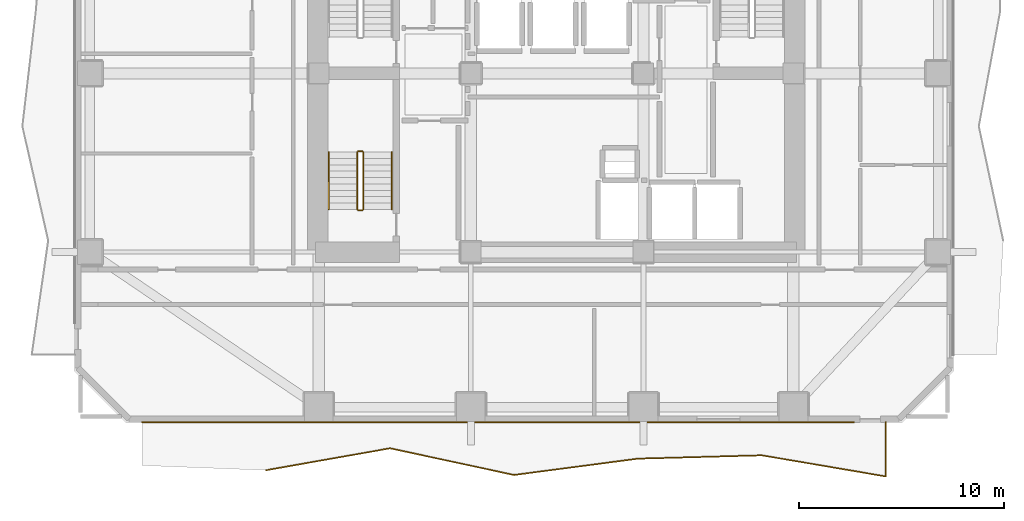
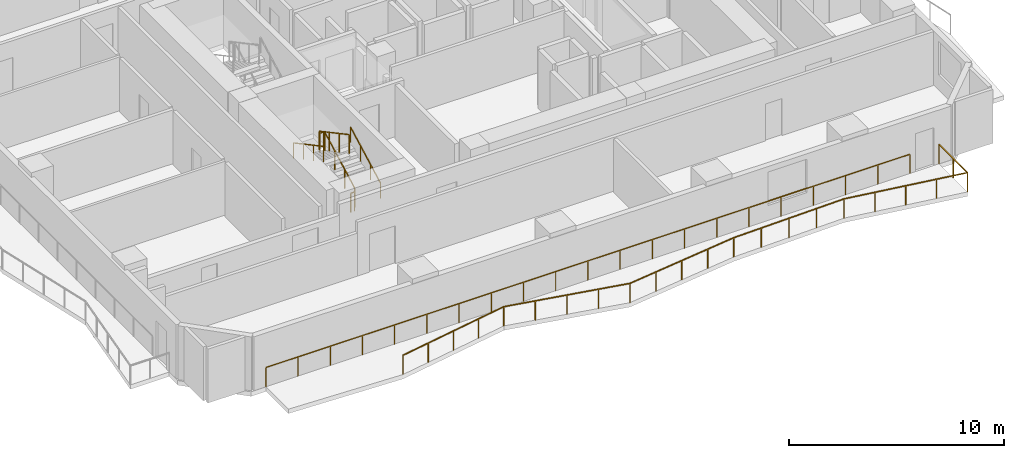
# One storey, part 7 of 10: 8 railings.
"""IFC4 building model written with IfcOpenShell, lengths in metres."""

from ifc_helpers import new_model, si_unit, direction, frame, origin, origin_2d, place, context, subcontext, project, spatial, rectangle, extrude, material, type_object, element, save


model = new_model("IFC4")

# Units and contexts
model_context = context("Model", 3, precision=1e-05, world=origin(), true_north=direction((0.0, 1.0)))
body_context = subcontext(model_context, "Body", "Model", "MODEL_VIEW")
ifc_project = project(units=[si_unit("LENGTHUNIT", "METRE"), si_unit("AREAUNIT", "SQUARE_METRE"), si_unit("VOLUMEUNIT", "CUBIC_METRE"), si_unit("PLANEANGLEUNIT", "RADIAN"), si_unit("MASSUNIT", "GRAM", prefix="KILO")], contexts=[model_context])

# Site, building, storey
site_placement = place(None, origin())
site = spatial("IfcSite", under=ifc_project, at=site_placement, CompositionType="ELEMENT")
building_placement = place(site_placement, origin())
building = spatial("IfcBuilding", under=site, at=building_placement, Name="Solanera Arch Residences", CompositionType="ELEMENT")
storey_placement = place(building_placement, frame((0.0, 0.0, 92.800048828125)))
storey = spatial("IfcBuildingStorey", under=building, at=storey_placement, Name="L26", CompositionType="ELEMENT", Elevation=92.800048828125)

# Railings
ifc_material_1 = material(Name="Steel S355 (ASTM A992 / A572 Grade 50)", Category="steel")
railing_type_1 = type_object("IfcRailingType", Name="Balustrade Railing BL-1100", PredefinedType="BALUSTRADE", material=ifc_material_1)
railing_1_placement = place(storey_placement, frame((10.8330078125, 11.381103515625, 0.0)))
element("IfcRailing", 1, at=railing_1_placement, inside=storey, type_object=railing_type_1, Name="L26 S Balcony Balustrade 1", PredefinedType="BALUSTRADE", context=body_context, shape_type="SweptSolid", body=[
    extrude(rectangle(XDim=0.048095703125, YDim=0.048095703125, at=origin_2d()), frame((0.0, 0.0, 1.09619140625), z_axis=(0.984670647112, 0.17442395683, 0.0), x_axis=(-0.17442395683, 0.984670647112, 0.0)), (0.0, 0.0, 1.0), 6.1279296875),
    extrude(rectangle(XDim=0.048095703125, YDim=0.048095703125, at=origin_2d()), frame((6.033935546875, 1.06884765625, 1.09619140625), z_axis=(0.977560354268, -0.210655533426, 0.0), x_axis=(0.210655533426, 0.977560354268, 0.0)), (0.0, 0.0, 1.0), 6.17138671875),
    extrude(rectangle(XDim=0.048095703125, YDim=0.048095703125, at=origin_2d()), frame((12.06689453125, -0.231201171875, 1.09619140625), z_axis=(0.991446919952, 0.130510554816, 0.0), x_axis=(-0.130510554816, 0.991446919952, 0.0)), (0.0, 0.0, 1.0), 6.085205078125),
    extrude(rectangle(XDim=0.048095703125, YDim=0.048095703125, at=origin_2d()), frame((18.10009765625, 0.56298828125, 1.09619140625), z_axis=(0.999636031928, 0.02697783667, 0.0), x_axis=(-0.02697783667, 0.999636031928, 0.0)), (0.0, 0.0, 1.0), 6.0361328125),
    extrude(rectangle(XDim=0.048095703125, YDim=0.048095703125, at=origin_2d()), frame((24.134033203125, 0.725830078125, 1.09619140625), z_axis=(0.985795604376, -0.167949475716, 0.0), x_axis=(0.167949475716, 0.985795604376, 0.0)), (0.0, 0.0, 1.0), 6.119873046875),
    extrude(rectangle(XDim=0.048095703125, YDim=0.048095703125, at=origin_2d()), frame((30.1669921875, -0.302001953125, 1.09619140625), z_axis=(0.0, 1.0, 0.0), x_axis=(-1.0, 0.0, 0.0)), (0.0, 0.0, 1.0), 2.640869140625),
    extrude(rectangle(XDim=0.0419921875, YDim=0.0419921875, at=origin_2d()), origin(), (0.0, 0.0, 1.0), 1.072021484375),
    extrude(rectangle(XDim=0.0419921875, YDim=0.0419921875, at=origin_2d()), frame((1.508544921875, 0.26708984375, 0.0)), (0.0, 0.0, 1.0), 1.072021484375),
    extrude(rectangle(XDim=0.0419921875, YDim=0.0419921875, at=origin_2d()), frame((3.01708984375, 0.534423828125, 0.0)), (0.0, 0.0, 1.0), 1.072021484375),
    extrude(rectangle(XDim=0.0419921875, YDim=0.0419921875, at=origin_2d()), frame((4.525390625, 0.8017578125, 0.0)), (0.0, 0.0, 1.0), 1.072021484375),
    extrude(rectangle(XDim=0.0419921875, YDim=0.0419921875, at=origin_2d()), frame((6.033935546875, 1.06884765625, 0.0)), (0.0, 0.0, 1.0), 1.072021484375),
    extrude(rectangle(XDim=0.0419921875, YDim=0.0419921875, at=origin_2d()), frame((7.542236328125, 0.743896484375, 0.0)), (0.0, 0.0, 1.0), 1.072021484375),
    extrude(rectangle(XDim=0.0419921875, YDim=0.0419921875, at=origin_2d()), frame((9.05029296875, 0.4189453125, 0.0)), (0.0, 0.0, 1.0), 1.072021484375),
    extrude(rectangle(XDim=0.0419921875, YDim=0.0419921875, at=origin_2d()), frame((10.55859375, 0.09375, 0.0)), (0.0, 0.0, 1.0), 1.072021484375),
    extrude(rectangle(XDim=0.0419921875, YDim=0.0419921875, at=origin_2d()), frame((12.06689453125, -0.231201171875, 0.0)), (0.0, 0.0, 1.0), 1.072021484375),
    extrude(rectangle(XDim=0.0419921875, YDim=0.0419921875, at=origin_2d()), frame((13.5751953125, -0.03271484375, 0.0)), (0.0, 0.0, 1.0), 1.072021484375),
    extrude(rectangle(XDim=0.0419921875, YDim=0.0419921875, at=origin_2d()), frame((15.08349609375, 0.166015625, 0.0)), (0.0, 0.0, 1.0), 1.072021484375),
    extrude(rectangle(XDim=0.0419921875, YDim=0.0419921875, at=origin_2d()), frame((16.591796875, 0.364501953125, 0.0)), (0.0, 0.0, 1.0), 1.072021484375),
    extrude(rectangle(XDim=0.0419921875, YDim=0.0419921875, at=origin_2d()), frame((18.10009765625, 0.56298828125, 0.0)), (0.0, 0.0, 1.0), 1.072021484375),
    extrude(rectangle(XDim=0.0419921875, YDim=0.0419921875, at=origin_2d()), frame((19.608642578125, 0.603759765625, 0.0)), (0.0, 0.0, 1.0), 1.072021484375),
    extrude(rectangle(XDim=0.0419921875, YDim=0.0419921875, at=origin_2d()), frame((21.1171875, 0.64453125, 0.0)), (0.0, 0.0, 1.0), 1.072021484375),
    extrude(rectangle(XDim=0.0419921875, YDim=0.0419921875, at=origin_2d()), frame((22.62548828125, 0.68505859375, 0.0)), (0.0, 0.0, 1.0), 1.072021484375),
    extrude(rectangle(XDim=0.0419921875, YDim=0.0419921875, at=origin_2d()), frame((24.134033203125, 0.725830078125, 0.0)), (0.0, 0.0, 1.0), 1.072021484375),
    extrude(rectangle(XDim=0.0419921875, YDim=0.0419921875, at=origin_2d()), frame((25.642333984375, 0.46875, 0.0)), (0.0, 0.0, 1.0), 1.072021484375),
    extrude(rectangle(XDim=0.0419921875, YDim=0.0419921875, at=origin_2d()), frame((27.150390625, 0.2119140625, 0.0)), (0.0, 0.0, 1.0), 1.072021484375),
    extrude(rectangle(XDim=0.0419921875, YDim=0.0419921875, at=origin_2d()), frame((28.65869140625, -0.044921875, 0.0)), (0.0, 0.0, 1.0), 1.072021484375),
    extrude(rectangle(XDim=0.0419921875, YDim=0.0419921875, at=origin_2d()), frame((30.1669921875, -0.302001953125, 0.0)), (0.0, 0.0, 1.0), 1.072021484375),
    extrude(rectangle(XDim=0.0419921875, YDim=0.0419921875, at=origin_2d()), frame((30.1669921875, 1.0185546875, 0.0)), (0.0, 0.0, 1.0), 1.072021484375),
    extrude(rectangle(XDim=0.0419921875, YDim=0.0419921875, at=origin_2d()), frame((30.1669921875, 2.3388671875, 0.0)), (0.0, 0.0, 1.0), 1.072021484375),
])
railing_2_placement = place(storey_placement, frame((39.43408203125, 13.719970703125, 0.0)))
element("IfcRailing", 2, at=railing_2_placement, inside=storey, type_object=railing_type_1, Name="L26 S Balcony Balustrade 2", PredefinedType="BALUSTRADE", context=body_context, shape_type="SweptSolid", body=[
    extrude(rectangle(XDim=0.048095703125, YDim=0.048095703125, at=origin_2d()), frame((0.0, 0.0, 1.09619140625), z_axis=(-1.0, 0.0, 0.0), x_axis=(0.0, -1.0, 0.0)), (0.0, 0.0, 1.0), 34.634033203125),
    extrude(rectangle(XDim=0.0419921875, YDim=0.0419921875, at=origin_2d()), origin(), (0.0, 0.0, 1.0), 1.072021484375),
    extrude(rectangle(XDim=0.0419921875, YDim=0.0419921875, at=origin_2d()), frame((-1.731689453125, 0.0, 0.0)), (0.0, 0.0, 1.0), 1.072021484375),
    extrude(rectangle(XDim=0.0419921875, YDim=0.0419921875, at=origin_2d()), frame((-3.46337890625, 0.0, 0.0)), (0.0, 0.0, 1.0), 1.072021484375),
    extrude(rectangle(XDim=0.0419921875, YDim=0.0419921875, at=origin_2d()), frame((-5.195068359375, 0.0, 0.0)), (0.0, 0.0, 1.0), 1.072021484375),
    extrude(rectangle(XDim=0.0419921875, YDim=0.0419921875, at=origin_2d()), frame((-6.9267578125, 0.0, 0.0)), (0.0, 0.0, 1.0), 1.072021484375),
    extrude(rectangle(XDim=0.0419921875, YDim=0.0419921875, at=origin_2d()), frame((-8.658447265625, 0.0, 0.0)), (0.0, 0.0, 1.0), 1.072021484375),
    extrude(rectangle(XDim=0.0419921875, YDim=0.0419921875, at=origin_2d()), frame((-10.39013671875, 0.0, 0.0)), (0.0, 0.0, 1.0), 1.072021484375),
    extrude(rectangle(XDim=0.0419921875, YDim=0.0419921875, at=origin_2d()), frame((-12.121826171875, 0.0, 0.0)), (0.0, 0.0, 1.0), 1.072021484375),
    extrude(rectangle(XDim=0.0419921875, YDim=0.0419921875, at=origin_2d()), frame((-13.853515625, 0.0, 0.0)), (0.0, 0.0, 1.0), 1.072021484375),
    extrude(rectangle(XDim=0.0419921875, YDim=0.0419921875, at=origin_2d()), frame((-15.585205078125, 0.0, 0.0)), (0.0, 0.0, 1.0), 1.072021484375),
    extrude(rectangle(XDim=0.0419921875, YDim=0.0419921875, at=origin_2d()), frame((-17.31689453125, 0.0, 0.0)), (0.0, 0.0, 1.0), 1.072021484375),
    extrude(rectangle(XDim=0.0419921875, YDim=0.0419921875, at=origin_2d()), frame((-19.048828125, 0.0, 0.0)), (0.0, 0.0, 1.0), 1.072021484375),
    extrude(rectangle(XDim=0.0419921875, YDim=0.0419921875, at=origin_2d()), frame((-20.780517578125, 0.0, 0.0)), (0.0, 0.0, 1.0), 1.072021484375),
    extrude(rectangle(XDim=0.0419921875, YDim=0.0419921875, at=origin_2d()), frame((-22.51220703125, 0.0, 0.0)), (0.0, 0.0, 1.0), 1.072021484375),
    extrude(rectangle(XDim=0.0419921875, YDim=0.0419921875, at=origin_2d()), frame((-24.243896484375, 0.0, 0.0)), (0.0, 0.0, 1.0), 1.072021484375),
    extrude(rectangle(XDim=0.0419921875, YDim=0.0419921875, at=origin_2d()), frame((-25.9755859375, 0.0, 0.0)), (0.0, 0.0, 1.0), 1.072021484375),
    extrude(rectangle(XDim=0.0419921875, YDim=0.0419921875, at=origin_2d()), frame((-27.707275390625, 0.0, 0.0)), (0.0, 0.0, 1.0), 1.072021484375),
    extrude(rectangle(XDim=0.0419921875, YDim=0.0419921875, at=origin_2d()), frame((-29.43896484375, 0.0, 0.0)), (0.0, 0.0, 1.0), 1.072021484375),
    extrude(rectangle(XDim=0.0419921875, YDim=0.0419921875, at=origin_2d()), frame((-31.170654296875, 0.0, 0.0)), (0.0, 0.0, 1.0), 1.072021484375),
    extrude(rectangle(XDim=0.0419921875, YDim=0.0419921875, at=origin_2d()), frame((-32.90234375, 0.0, 0.0)), (0.0, 0.0, 1.0), 1.072021484375),
    extrude(rectangle(XDim=0.0419921875, YDim=0.0419921875, at=origin_2d()), frame((-34.634033203125, 0.0, 0.0)), (0.0, 0.0, 1.0), 1.072021484375),
])
ifc_material_2 = material(Name="Steel S355 (ASTM A992 / A572 Grade 50)", Category="steel")
railing_type_2 = type_object("IfcRailingType", Name="Stair Guardrail GR-1100", PredefinedType="GUARDRAIL", material=ifc_material_2)
railing_3_placement = place(storey_placement, frame((15.570068359375, 24.080078125, 0.15087890625)))
element("IfcRailing", 3, at=railing_3_placement, inside=storey, type_object=railing_type_2, Name="L26 ST-T3 stair guard 1", PredefinedType="GUARDRAIL", context=body_context, shape_type="SweptSolid", body=[
    extrude(rectangle(XDim=0.048095703125, YDim=0.048095703125, at=origin_2d()), frame((0.0, 0.0, 1.076171875), z_axis=(0.0, 0.881548766853, 0.472092969298), x_axis=(-1.0, 0.0, 0.0)), (0.0, 0.0, 1.0), 3.1650390625),
    extrude(rectangle(XDim=0.0419921875, YDim=0.0419921875, at=origin_2d()), origin(), (0.0, 0.0, 1.0), 1.052001953125),
    extrude(rectangle(XDim=0.0419921875, YDim=0.0419921875, at=origin_2d()), frame((0.0, 0.929931640625, 0.498046875)), (0.0, 0.0, 1.0), 1.052001953125),
    extrude(rectangle(XDim=0.0419921875, YDim=0.0419921875, at=origin_2d()), frame((0.0, 1.860107421875, 0.99609375)), (0.0, 0.0, 1.0), 1.052001953125),
    extrude(rectangle(XDim=0.0419921875, YDim=0.0419921875, at=origin_2d()), frame((0.0, 2.7900390625, 1.494140625)), (0.0, 0.0, 1.0), 1.052001953125),
])
railing_4_placement = place(storey_placement, frame((15.52001953125, 26.919921875, 1.64501953125)))
element("IfcRailing", 4, at=railing_4_placement, inside=storey, type_object=railing_type_2, Name="L26 ST-T3 stair guard 2", PredefinedType="GUARDRAIL", context=body_context, shape_type="SweptSolid", body=[
    extrude(rectangle(XDim=0.048095703125, YDim=0.048095703125, at=origin_2d()), frame((0.0, 0.0, 1.076171875), z_axis=(-1.0, 0.0, 0.0), x_axis=(0.0, -1.0, 0.0)), (0.0, 0.0, 1.0), 0.199951171875),
    extrude(rectangle(XDim=0.0419921875, YDim=0.0419921875, at=origin_2d()), origin(), (0.0, 0.0, 1.0), 1.052001953125),
    extrude(rectangle(XDim=0.0419921875, YDim=0.0419921875, at=origin_2d()), frame((-0.199951171875, 0.0, 0.0)), (0.0, 0.0, 1.0), 1.052001953125),
])
railing_5_placement = place(storey_placement, frame((15.27001953125, 26.8701171875, 1.81103515625)))
element("IfcRailing", 5, at=railing_5_placement, inside=storey, type_object=railing_type_2, Name="L26 ST-T3 stair guard 3", PredefinedType="GUARDRAIL", context=body_context, shape_type="SweptSolid", body=[
    extrude(rectangle(XDim=0.048095703125, YDim=0.048095703125, at=origin_2d()), frame((0.0, 0.0, 1.076171875), z_axis=(0.0, -0.881580869306, 0.472033018838), x_axis=(1.0, 0.0, 0.0)), (0.0, 0.0, 1.0), 3.164794921875),
    extrude(rectangle(XDim=0.0419921875, YDim=0.0419921875, at=origin_2d()), origin(), (0.0, 0.0, 1.0), 1.052001953125),
    extrude(rectangle(XDim=0.0419921875, YDim=0.0419921875, at=origin_2d()), frame((0.0, -0.929931640625, 0.498046875)), (0.0, 0.0, 1.0), 1.052001953125),
    extrude(rectangle(XDim=0.0419921875, YDim=0.0419921875, at=origin_2d()), frame((0.0, -1.860107421875, 0.995849609375)), (0.0, 0.0, 1.0), 1.052001953125),
    extrude(rectangle(XDim=0.0419921875, YDim=0.0419921875, at=origin_2d()), frame((0.0, -2.7900390625, 1.493896484375)), (0.0, 0.0, 1.0), 1.052001953125),
])
railing_6_placement = place(storey_placement, frame((15.52001953125, 24.030029296875, -0.01513671875)))
element("IfcRailing", 6, at=railing_6_placement, inside=storey, type_object=railing_type_2, Name="L26 ST-T3 stair guard 4", PredefinedType="GUARDRAIL", context=body_context, shape_type="SweptSolid", body=[
    extrude(rectangle(XDim=0.048095703125, YDim=0.048095703125, at=origin_2d()), frame((0.0, 0.0, 1.076171875), z_axis=(-1.0, 0.0, 0.0), x_axis=(0.0, -1.0, 0.0)), (0.0, 0.0, 1.0), 0.199951171875),
    extrude(rectangle(XDim=0.0419921875, YDim=0.0419921875, at=origin_2d()), origin(), (0.0, 0.0, 1.0), 1.052001953125),
    extrude(rectangle(XDim=0.0419921875, YDim=0.0419921875, at=origin_2d()), frame((-0.199951171875, 0.0, 0.0)), (0.0, 0.0, 1.0), 1.052001953125),
])
ifc_material_3 = material(Name="Steel S355 (ASTM A992 / A572 Grade 50)", Category="steel")
railing_type_3 = type_object("IfcRailingType", Name="Stair Wall Handrail HR-920", PredefinedType="HANDRAIL", material=ifc_material_3)
railing_7_placement = place(storey_placement, frame((16.949951171875, 24.080078125, 0.166015625)))
element("IfcRailing", 7, at=railing_7_placement, inside=storey, type_object=railing_type_3, Name="L26 ST-T3 stair handrail 1", PredefinedType="HANDRAIL", context=body_context, shape_type="SweptSolid", body=[
    extrude(rectangle(XDim=0.048095703125, YDim=0.048095703125, at=origin_2d()), frame((0.0, 0.0, 0.8759765625), z_axis=(0.0, 0.881580869306, 0.472033018838), x_axis=(-1.0, 0.0, 0.0)), (0.0, 0.0, 1.0), 3.164794921875),
    extrude(rectangle(XDim=0.0419921875, YDim=0.0419921875, at=origin_2d()), origin(), (0.0, 0.0, 1.0), 0.851806640625),
    extrude(rectangle(XDim=0.0419921875, YDim=0.0419921875, at=origin_2d()), frame((0.0, 0.929931640625, 0.498046875)), (0.0, 0.0, 1.0), 0.851806640625),
    extrude(rectangle(XDim=0.0419921875, YDim=0.0419921875, at=origin_2d()), frame((0.0, 1.860107421875, 0.995849609375)), (0.0, 0.0, 1.0), 0.851806640625),
    extrude(rectangle(XDim=0.0419921875, YDim=0.0419921875, at=origin_2d()), frame((0.0, 2.7900390625, 1.493896484375)), (0.0, 0.0, 1.0), 0.851806640625),
])
railing_8_placement = place(storey_placement, frame((13.889892578125, 26.8701171875, 1.825927734375)))
element("IfcRailing", 8, at=railing_8_placement, inside=storey, type_object=railing_type_3, Name="L26 ST-T3 stair handrail 2", PredefinedType="HANDRAIL", context=body_context, shape_type="SweptSolid", body=[
    extrude(rectangle(XDim=0.048095703125, YDim=0.048095703125, at=origin_2d()), frame((0.0, 0.0, 0.8759765625), z_axis=(0.0, -0.881548766853, 0.472092969298), x_axis=(1.0, 0.0, 0.0)), (0.0, 0.0, 1.0), 3.1650390625),
    extrude(rectangle(XDim=0.0419921875, YDim=0.0419921875, at=origin_2d()), origin(), (0.0, 0.0, 1.0), 0.851806640625),
    extrude(rectangle(XDim=0.0419921875, YDim=0.0419921875, at=origin_2d()), frame((0.0, -0.929931640625, 0.498046875)), (0.0, 0.0, 1.0), 0.851806640625),
    extrude(rectangle(XDim=0.0419921875, YDim=0.0419921875, at=origin_2d()), frame((0.0, -1.860107421875, 0.99609375)), (0.0, 0.0, 1.0), 0.851806640625),
    extrude(rectangle(XDim=0.0419921875, YDim=0.0419921875, at=origin_2d()), frame((0.0, -2.7900390625, 1.494140625)), (0.0, 0.0, 1.0), 0.851806640625),
])

save(model, "model.ifc")
